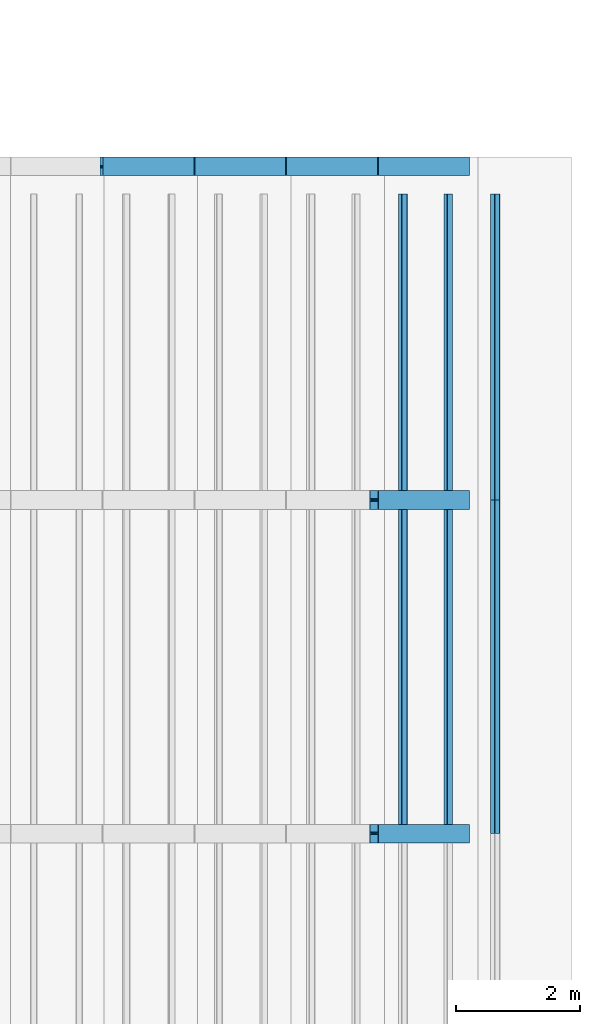
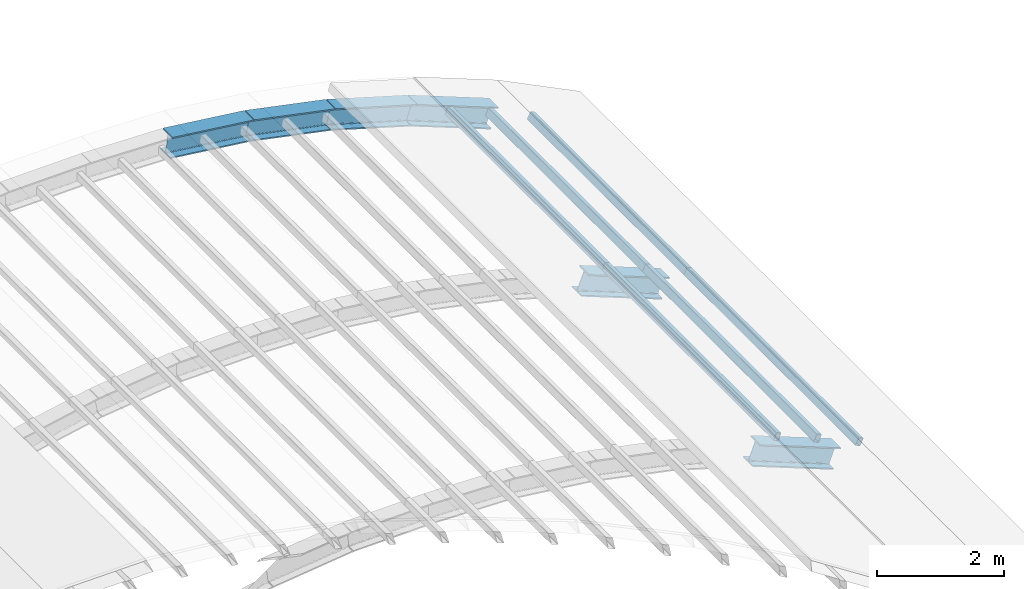
# One storey, part 7 of 65: 12 members.
"""IFC4 building model written with IfcOpenShell, lengths in metres."""

from ifc_helpers import new_model, si_unit, direction, frame, origin, origin_2d, place, context, subcontext, project, spatial, hollow_rectangle, i_section, extrude, material, material_profile, profile_set, type_object, element, save


model = new_model("IFC4")

# Units and contexts
model_context = context("Model", 3, precision=1e-05, world=origin(), true_north=direction((0.0, 1.0)))
body_context = subcontext(model_context, "Body", "Model", "MODEL_VIEW")
ifc_project = project(units=[si_unit("LENGTHUNIT", "METRE"), si_unit("AREAUNIT", "SQUARE_METRE"), si_unit("VOLUMEUNIT", "CUBIC_METRE"), si_unit("PLANEANGLEUNIT", "RADIAN"), si_unit("MASSUNIT", "GRAM", prefix="KILO")], contexts=[model_context])

# Site, building, storey
site_placement = place(None, origin())
site = spatial("IfcSite", under=ifc_project, at=site_placement, CompositionType="ELEMENT")
building_placement = place(site_placement, origin())
building = spatial("IfcBuilding", under=site, at=building_placement, Name="Elbe Cascade School", CompositionType="ELEMENT")
storey_placement = place(building_placement, frame((0.0, 0.0, 11.699951171875)))
storey = spatial("IfcBuildingStorey", under=building, at=storey_placement, Name="L03", CompositionType="ELEMENT", Elevation=11.699951171875)

# Members
ifc_material_1 = material(Name="Steel S355J2H", Category="steel")
ifc_material_profile_1 = material_profile(ifc_material_1, hollow_rectangle(XDim=0.10009765625, YDim=0.14990234375, WallThickness=0.008056640625, InnerFilletRadius=0.008056640625, OuterFilletRadius=0.011962890625, at=origin_2d()), Name="RHS 150x100x8")
ifc_profile_set_1 = profile_set([ifc_material_profile_1], Name="Steel S355J2H")
member_type_1 = type_object("IfcMemberType", Name="Assembly hall vault purlin RHS 150x100x8", PredefinedType="PURLIN", material=ifc_profile_set_1)
member_1_placement = place(storey_placement, frame((23.3515625, 22.199951171875, 0.9384765625), z_axis=(0.0, 1.0, 0.0), x_axis=(-0.931759682277, 0.0, 0.363075604362)))
element("IfcMember", 1, at=member_1_placement, inside=storey, type_object=member_type_1, Name="Assembly hall vault purlin RHS 150x100x8 M12", PredefinedType="PURLIN", context=body_context, shape_type="SweptSolid", body=[
    extrude(hollow_rectangle(XDim=0.10009765625, YDim=0.14990234375, WallThickness=0.008056640625, InnerFilletRadius=0.008056640625, OuterFilletRadius=0.011962890625, at=origin_2d()), origin(), (0.0, 0.0, 1.0), 5.400146484375),
])
member_2_placement = place(storey_placement, frame((23.3515625, 27.60009765625, 0.9384765625), z_axis=(0.0, 1.0, 0.0), x_axis=(-0.931759682277, 0.0, 0.363075604362)))
element("IfcMember", 2, at=member_2_placement, inside=storey, type_object=member_type_1, Name="Assembly hall vault purlin RHS 150x100x8 M12", PredefinedType="PURLIN", context=body_context, shape_type="SweptSolid", body=[
    extrude(hollow_rectangle(XDim=0.10009765625, YDim=0.14990234375, WallThickness=0.008056640625, InnerFilletRadius=0.008056640625, OuterFilletRadius=0.011962890625, at=origin_2d()), origin(), (0.0, 0.0, 1.0), 4.949951171875),
])
member_3_placement = place(storey_placement, frame((24.0869140625, 22.199951171875, 0.65185546875), z_axis=(0.0, 1.0, 0.0), x_axis=(-0.931759682277, 0.0, 0.363075604362)))
element("IfcMember", 3, at=member_3_placement, inside=storey, type_object=member_type_1, Name="Assembly hall vault purlin RHS 150x100x8 M12", PredefinedType="PURLIN", context=body_context, shape_type="SweptSolid", body=[
    extrude(hollow_rectangle(XDim=0.10009765625, YDim=0.14990234375, WallThickness=0.008056640625, InnerFilletRadius=0.008056640625, OuterFilletRadius=0.011962890625, at=origin_2d()), origin(), (0.0, 0.0, 1.0), 5.400146484375),
])
member_4_placement = place(storey_placement, frame((24.0869140625, 27.60009765625, 0.65185546875), z_axis=(0.0, 1.0, 0.0), x_axis=(-0.931759682277, 0.0, 0.363075604362)))
element("IfcMember", 4, at=member_4_placement, inside=storey, type_object=member_type_1, Name="Assembly hall vault purlin RHS 150x100x8 M12", PredefinedType="PURLIN", context=body_context, shape_type="SweptSolid", body=[
    extrude(hollow_rectangle(XDim=0.10009765625, YDim=0.14990234375, WallThickness=0.008056640625, InnerFilletRadius=0.008056640625, OuterFilletRadius=0.011962890625, at=origin_2d()), origin(), (0.0, 0.0, 1.0), 4.949951171875),
])
member_5_placement = place(storey_placement, frame((24.8447265625, 22.199951171875, 0.316650390625), z_axis=(0.0, 1.0, 0.0), x_axis=(-0.896150558811, 0.0, 0.443750127822)))
element("IfcMember", 5, at=member_5_placement, inside=storey, type_object=member_type_1, Name="Assembly hall vault purlin RHS 150x100x8 M12", PredefinedType="PURLIN", context=body_context, shape_type="SweptSolid", body=[
    extrude(hollow_rectangle(XDim=0.10009765625, YDim=0.14990234375, WallThickness=0.008056640625, InnerFilletRadius=0.008056640625, OuterFilletRadius=0.011962890625, at=origin_2d()), origin(), (0.0, 0.0, 1.0), 5.400146484375),
])
member_6_placement = place(storey_placement, frame((24.8447265625, 27.60009765625, 0.316650390625), z_axis=(0.0, 1.0, 0.0), x_axis=(-0.896150558811, 0.0, 0.443750127822)))
element("IfcMember", 6, at=member_6_placement, inside=storey, type_object=member_type_1, Name="Assembly hall vault purlin RHS 150x100x8 M12", PredefinedType="PURLIN", context=body_context, shape_type="SweptSolid", body=[
    extrude(hollow_rectangle(XDim=0.10009765625, YDim=0.14990234375, WallThickness=0.008056640625, InnerFilletRadius=0.008056640625, OuterFilletRadius=0.011962890625, at=origin_2d()), origin(), (0.0, 0.0, 1.0), 4.949951171875),
])
ifc_material_2 = material(Name="Steel S355J2", Category="steel")
ifc_material_profile_2 = material_profile(ifc_material_2, i_section(OverallWidth=0.300048828125, OverallDepth=0.39990234375, WebThickness=0.013427734375, FlangeThickness=0.02392578125, FilletRadius=0.027099609375, at=origin_2d()), Name="HEB 400")
ifc_profile_set_2 = profile_set([ifc_material_profile_2], Name="Steel S355J2")
member_type_2 = type_object("IfcMemberType", Name="Assembly hall vault rib HEB 400", PredefinedType="RAFTER", material=ifc_profile_set_2)
for number, where, z_axis, x_axis, name in (
    (7, (22.8837890625, 22.199951171875, 0.825439453125), (0.931818823681, 0.0, -0.362923793425), (0.0, 1.0, 0.0), "Assembly hall vault rib HEB 400 M11"),
    (8, (22.8837890625, 27.60009765625, 0.825439453125), (0.931818823681, 0.0, -0.362923793425), (0.0, 1.0, 0.0), "Assembly hall vault rib HEB 400 M11"),
):
    element("IfcMember", number, at=place(storey_placement, frame(where, z_axis=z_axis, x_axis=x_axis)), inside=storey, type_object=member_type_2, Name=name, PredefinedType="RAFTER", context=body_context, shape_type="SweptSolid", body=[
        extrude(i_section(OverallWidth=0.300048828125, OverallDepth=0.39990234375, WebThickness=0.013427734375, FlangeThickness=0.02392578125, FilletRadius=0.027099609375, at=origin_2d()), origin(), (0.0, 0.0, 1.0), 1.578857421875),
    ])
member_7_placement = place(storey_placement, frame((18.470947265625, 33.0, 1.74072265625), z_axis=(0.992641048106, 0.0, -0.121093970184), x_axis=(0.0, 1.0, 0.0)))
element("IfcMember", 9, at=member_7_placement, inside=storey, type_object=member_type_2, Name="Assembly hall vault rib HEB 400 M11", PredefinedType="RAFTER", context=body_context, shape_type="SweptSolid", body=[
    extrude(i_section(OverallWidth=0.300048828125, OverallDepth=0.39990234375, WebThickness=0.013427734375, FlangeThickness=0.02392578125, FilletRadius=0.027099609375, at=origin_2d()), origin(), (0.0, 0.0, 1.0), 1.48193359375),
])
member_8_placement = place(storey_placement, frame((19.94189453125, 33.0, 1.561279296875), z_axis=(0.979471206502, 0.0, -0.201584115529), x_axis=(0.0, 1.0, 0.0)))
element("IfcMember", 10, at=member_8_placement, inside=storey, type_object=member_type_2, Name="Assembly hall vault rib HEB 400 M11", PredefinedType="RAFTER", context=body_context, shape_type="SweptSolid", body=[
    extrude(i_section(OverallWidth=0.300048828125, OverallDepth=0.39990234375, WebThickness=0.013427734375, FlangeThickness=0.02392578125, FilletRadius=0.027099609375, at=origin_2d()), origin(), (0.0, 0.0, 1.0), 1.501708984375),
])
member_9_placement = place(storey_placement, frame((21.412841796875, 33.0, 1.258544921875), z_axis=(0.95928179447, 0.0, -0.282450772347), x_axis=(0.0, 1.0, 0.0)))
element("IfcMember", 11, at=member_9_placement, inside=storey, type_object=member_type_2, Name="Assembly hall vault rib HEB 400 M11", PredefinedType="RAFTER", context=body_context, shape_type="SweptSolid", body=[
    extrude(i_section(OverallWidth=0.300048828125, OverallDepth=0.39990234375, WebThickness=0.013427734375, FlangeThickness=0.02392578125, FilletRadius=0.027099609375, at=origin_2d()), origin(), (0.0, 0.0, 1.0), 1.533447265625),
])
member_10_placement = place(storey_placement, frame((22.8837890625, 33.0, 0.825439453125), z_axis=(0.931818823681, 0.0, -0.362923793425), x_axis=(0.0, 1.0, 0.0)))
element("IfcMember", 12, at=member_10_placement, inside=storey, type_object=member_type_2, Name="Assembly hall vault rib HEB 400 M11", PredefinedType="RAFTER", context=body_context, shape_type="SweptSolid", body=[
    extrude(i_section(OverallWidth=0.300048828125, OverallDepth=0.39990234375, WebThickness=0.013427734375, FlangeThickness=0.02392578125, FilletRadius=0.027099609375, at=origin_2d()), origin(), (0.0, 0.0, 1.0), 1.578857421875),
])

save(model, "model.ifc")
